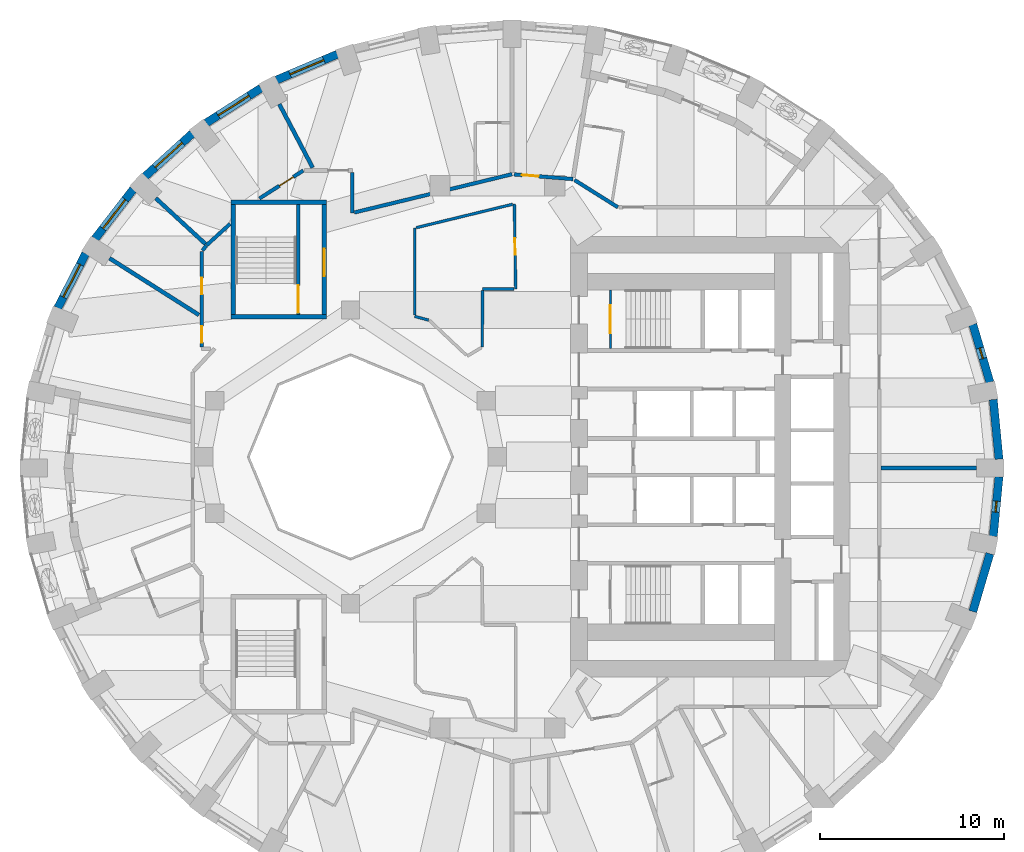
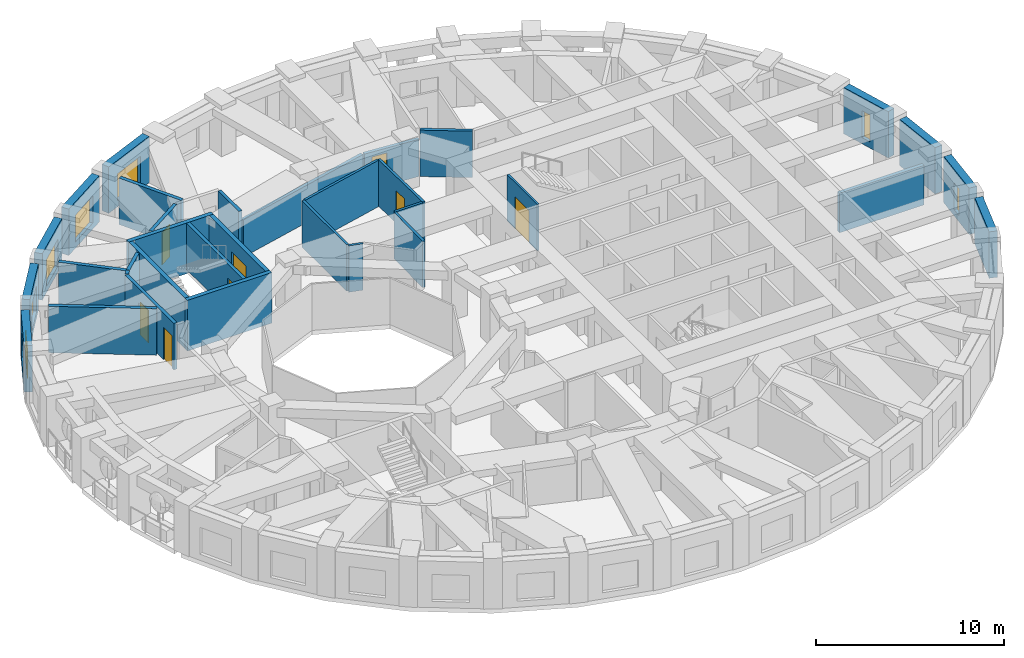
# One storey, part 7 of 12: 33 walls, 8 doors, 7 windows, 15 openings.
"""IFC4 building model written with IfcOpenShell, lengths in metres."""

from ifc_helpers import new_model, si_unit, direction, frame, frame_2d, origin, place, context, subcontext, project, spatial, rectangle, extrude, material, layer, layer_set, type_object, element, fill, save


model = new_model("IFC4")

# Units and contexts
model_context = context("Model", 3, precision=1e-05, world=origin(), true_north=direction((0.0, 1.0)))
body_context = subcontext(model_context, "Body", "Model", "MODEL_VIEW")
ifc_project = project(units=[si_unit("LENGTHUNIT", "METRE"), si_unit("AREAUNIT", "SQUARE_METRE"), si_unit("VOLUMEUNIT", "CUBIC_METRE"), si_unit("PLANEANGLEUNIT", "RADIAN"), si_unit("MASSUNIT", "GRAM", prefix="KILO")], contexts=[model_context])

# Site, building, storey
site_placement = place(None, origin())
site = spatial("IfcSite", under=ifc_project, at=site_placement, CompositionType="ELEMENT")
building_placement = place(site_placement, origin())
building = spatial("IfcBuilding", under=site, at=building_placement, Name="Taillehof Tower", CompositionType="ELEMENT")
storey_placement = place(building_placement, frame((0.0, 0.0, 98.800048828125)))
storey = spatial("IfcBuildingStorey", under=building, at=storey_placement, Name="L27", CompositionType="ELEMENT", Elevation=98.800048828125)

# Wall
ifc_material_1 = material(Name="Brick masonry", Category="masonry")
ifc_layer_1 = layer(ifc_material_1, 0.449951171875)
ifc_layer_set_1 = layer_set([ifc_layer_1], Name="Brick infill wall 450")
wall_type_1 = type_object("IfcWallType", Name="Brick infill wall 450", PredefinedType="SOLIDWALL", material=ifc_layer_set_1)
wall_1_placement = place(storey_placement, frame((27.32763671875, -0.119873046875, 0.0), z_axis=(0.0, 0.0, 1.0), x_axis=(-0.09589355735, 0.995391594127, 0.0)))
element("IfcWall", 1, at=wall_1_placement, inside=storey, type_object=wall_type_1, Name="Brick wall L27 bay 1", PredefinedType="SOLIDWALL", context=body_context, shape_type="SweptSolid", body=[
    extrude(rectangle(XDim=3.261474609375, YDim=0.449951171875, at=frame_2d((1.630859375, 0.0))), origin(), (0.0, 0.0, 1.0), 3.02001953125),
])

# Wall, opening, window
wall_2_placement = place(storey_placement, frame((26.83203125, 4.069091796875, 0.0), z_axis=(0.0, 0.0, 1.0), x_axis=(-0.283002902729, 0.959119052593, 0.0)))
wall_2 = element("IfcWall", 2, at=wall_2_placement, inside=storey, type_object=wall_type_1, Name="Brick wall L27 bay 2", PredefinedType="SOLIDWALL", context=body_context, shape_type="SweptSolid", body=[
    extrude(rectangle(XDim=3.285888671875, YDim=0.449951171875, at=frame_2d((1.64306640625, 0.0))), origin(), (0.0, 0.0, 1.0), 3.02001953125),
])
opening_1_placement = place(wall_2_placement, frame((1.343017578125, 0.0, 0.39990234375)))
opening_1 = element("IfcOpeningElement", 3, at=opening_1_placement, cuts=wall_2, Name="Opening W6", PredefinedType="OPENING", context=body_context, shape_type="SweptSolid", body=[
    extrude(rectangle(XDim=0.60009765625, YDim=1.75, at=frame_2d((0.300048828125, 0.875))), frame((0.0, 0.23486328125, 0.0), z_axis=(0.0, -1.0, 0.0), x_axis=(1.0, 0.0, 0.0)), (0.0, 0.0, 1.0), 0.469970703125),
])
ifc_material_2 = material(Name="Aluminium window frame with clear double glazing", Category="aluminium")
window_type_1 = type_object("IfcWindowType", Name="Slot window 600x1750", PartitioningType="SINGLE_PANEL", PredefinedType="WINDOW", material=ifc_material_2)
window_1_placement = place(opening_1_placement, origin())
window_1 = element("IfcWindow", 4, at=window_1_placement, inside=storey, type_object=window_type_1, Name="W6", OverallHeight=1.75, OverallWidth=0.60009765625, PartitioningType="SINGLE_PANEL", PredefinedType="WINDOW", context=body_context, shape_type="SweptSolid", body=[
    extrude(rectangle(XDim=0.60009765625, YDim=1.75, at=frame_2d((0.300048828125, 0.875))), frame((0.0, 0.034912109375, 0.0), z_axis=(0.0, -1.0, 0.0), x_axis=(1.0, 0.0, 0.0)), (0.0, 0.0, 1.0), 0.06005859375),
])
fill(opening_1, window_1)

wall_3_placement = place(storey_placement, frame((-8.718017578125, 21.93359375, 0.0), z_axis=(0.0, 0.0, 1.0), x_axis=(-0.920879975612, -0.389846213932, 0.0)))
wall_3 = element("IfcWall", 5, at=wall_3_placement, inside=storey, type_object=wall_type_1, Name="Brick wall L27 bay 12", PredefinedType="SOLIDWALL", context=body_context, shape_type="SweptSolid", body=[
    extrude(rectangle(XDim=3.591552734375, YDim=0.449951171875, at=frame_2d((1.7958984375, 0.0))), origin(), (0.0, 0.0, 1.0), 3.02001953125),
])
opening_2_placement = place(wall_3_placement, frame((0.795654296875, 0.0, 0.39990234375)))
opening_2 = element("IfcOpeningElement", 6, at=opening_2_placement, cuts=wall_3, Name="Opening W2", PredefinedType="OPENING", context=body_context, shape_type="SweptSolid", body=[
    extrude(rectangle(XDim=2.0, YDim=1.75, at=frame_2d((1.0, 0.875))), frame((0.0, 0.23486328125, 0.0), z_axis=(0.0, -1.0, 0.0), x_axis=(1.0, 0.0, 0.0)), (0.0, 0.0, 1.0), 0.469970703125),
])
ifc_material_3 = material(Name="Aluminium window frame with clear double glazing", Category="aluminium")
window_type_2 = type_object("IfcWindowType", Name="Deep-set window 2000x1750", PartitioningType="SINGLE_PANEL", PredefinedType="WINDOW", material=ifc_material_3)
window_2_placement = place(opening_2_placement, origin())
window_2 = element("IfcWindow", 7, at=window_2_placement, inside=storey, type_object=window_type_2, Name="W2", OverallHeight=1.75, OverallWidth=2.0, PartitioningType="SINGLE_PANEL", PredefinedType="WINDOW", context=body_context, shape_type="SweptSolid", body=[
    extrude(rectangle(XDim=2.0, YDim=1.75, at=frame_2d((1.0, 0.875))), frame((0.0, 0.034912109375, 0.0), z_axis=(0.0, -1.0, 0.0), x_axis=(1.0, 0.0, 0.0)), (0.0, 0.0, 1.0), 0.06005859375),
])
fill(opening_2, window_2)

wall_4_placement = place(storey_placement, frame((-12.87548828125, 20.087158203125, 0.0), z_axis=(0.0, 0.0, 1.0), x_axis=(-0.843860651879, -0.536562391722, 0.0)))
wall_4 = element("IfcWall", 8, at=wall_4_placement, inside=storey, type_object=wall_type_1, Name="Brick wall L27 bay 13", PredefinedType="SOLIDWALL", context=body_context, shape_type="SweptSolid", body=[
    extrude(rectangle(XDim=3.5322265625, YDim=0.449951171875, at=frame_2d((1.76611328125, 0.0))), origin(), (0.0, 0.0, 1.0), 3.02001953125),
])
opening_3_placement = place(wall_4_placement, frame((0.76611328125, 0.0, 0.39990234375)))
opening_3 = element("IfcOpeningElement", 9, at=opening_3_placement, cuts=wall_4, Name="Opening W2", PredefinedType="OPENING", context=body_context, shape_type="SweptSolid", body=[
    extrude(rectangle(XDim=2.0, YDim=1.75, at=frame_2d((1.0, 0.875))), frame((0.0, 0.23486328125, 0.0), z_axis=(0.0, -1.0, 0.0), x_axis=(1.0, 0.0, 0.0)), (0.0, 0.0, 1.0), 0.469970703125),
])
window_3_placement = place(opening_3_placement, origin())
window_3 = element("IfcWindow", 10, at=window_3_placement, inside=storey, type_object=window_type_2, Name="W2", OverallHeight=1.75, OverallWidth=2.0, PartitioningType="SINGLE_PANEL", PredefinedType="WINDOW", context=body_context, shape_type="SweptSolid", body=[
    extrude(rectangle(XDim=2.0, YDim=1.75, at=frame_2d((1.0, 0.875))), frame((0.0, 0.034912109375, 0.0), z_axis=(0.0, -1.0, 0.0), x_axis=(1.0, 0.0, 0.0)), (0.0, 0.0, 1.0), 0.06005859375),
])
fill(opening_3, window_3)

wall_5_placement = place(storey_placement, frame((-16.61962890625, 17.609619140625, 0.0), z_axis=(0.0, 0.0, 1.0), x_axis=(-0.74032902847, -0.672244694739, 0.0)))
wall_5 = element("IfcWall", 11, at=wall_5_placement, inside=storey, type_object=wall_type_1, Name="Brick wall L27 bay 14", PredefinedType="SOLIDWALL", context=body_context, shape_type="SweptSolid", body=[
    extrude(rectangle(XDim=3.4638671875, YDim=0.449951171875, at=frame_2d((1.73193359375, 0.0))), origin(), (0.0, 0.0, 1.0), 3.02001953125),
])
opening_4_placement = place(wall_5_placement, frame((0.73193359375, 0.0, 0.39990234375)))
opening_4 = element("IfcOpeningElement", 12, at=opening_4_placement, cuts=wall_5, Name="Opening W2", PredefinedType="OPENING", context=body_context, shape_type="SweptSolid", body=[
    extrude(rectangle(XDim=2.0, YDim=1.75, at=frame_2d((1.0, 0.875))), frame((0.0, 0.23486328125, 0.0), z_axis=(0.0, -1.0, 0.0), x_axis=(1.0, 0.0, 0.0)), (0.0, 0.0, 1.0), 0.469970703125),
])
window_4_placement = place(opening_4_placement, origin())
window_4 = element("IfcWindow", 13, at=window_4_placement, inside=storey, type_object=window_type_2, Name="W2", OverallHeight=1.75, OverallWidth=2.0, PartitioningType="SINGLE_PANEL", PredefinedType="WINDOW", context=body_context, shape_type="SweptSolid", body=[
    extrude(rectangle(XDim=2.0, YDim=1.75, at=frame_2d((1.0, 0.875))), frame((0.0, 0.034912109375, 0.0), z_axis=(0.0, -1.0, 0.0), x_axis=(1.0, 0.0, 0.0)), (0.0, 0.0, 1.0), 0.06005859375),
])
fill(opening_4, window_4)

wall_6_placement = place(storey_placement, frame((-19.835205078125, 14.575439453125, 0.0), z_axis=(0.0, 0.0, 1.0), x_axis=(-0.610693945156, -0.791866721961, 0.0)))
wall_6 = element("IfcWall", 14, at=wall_6_placement, inside=storey, type_object=wall_type_1, Name="Brick wall L27 bay 15", PredefinedType="SOLIDWALL", context=body_context, shape_type="SweptSolid", body=[
    extrude(rectangle(XDim=3.39453125, YDim=0.449951171875, at=frame_2d((1.697265625, 0.0))), origin(), (0.0, 0.0, 1.0), 3.02001953125),
])
opening_5_placement = place(wall_6_placement, frame((0.697265625, 0.0, 0.39990234375)))
opening_5 = element("IfcOpeningElement", 15, at=opening_5_placement, cuts=wall_6, Name="Opening W2", PredefinedType="OPENING", context=body_context, shape_type="SweptSolid", body=[
    extrude(rectangle(XDim=2.0, YDim=1.75, at=frame_2d((1.0, 0.875))), frame((0.0, 0.23486328125, 0.0), z_axis=(0.0, -1.0, 0.0), x_axis=(1.0, 0.0, 0.0)), (0.0, 0.0, 1.0), 0.469970703125),
])
window_5_placement = place(opening_5_placement, origin())
window_5 = element("IfcWindow", 16, at=window_5_placement, inside=storey, type_object=window_type_2, Name="W2", OverallHeight=1.75, OverallWidth=2.0, PartitioningType="SINGLE_PANEL", PredefinedType="WINDOW", context=body_context, shape_type="SweptSolid", body=[
    extrude(rectangle(XDim=2.0, YDim=1.75, at=frame_2d((1.0, 0.875))), frame((0.0, 0.034912109375, 0.0), z_axis=(0.0, -1.0, 0.0), x_axis=(1.0, 0.0, 0.0)), (0.0, 0.0, 1.0), 0.06005859375),
])
fill(opening_5, window_5)

wall_7_placement = place(storey_placement, frame((-22.4228515625, 11.076904296875, 0.0), z_axis=(0.0, 0.0, 1.0), x_axis=(-0.456828186229, -0.889554949549, 0.0)))
wall_7 = element("IfcWall", 17, at=wall_7_placement, inside=storey, type_object=wall_type_1, Name="Brick wall L27 bay 16", PredefinedType="SOLIDWALL", context=body_context, shape_type="SweptSolid", body=[
    extrude(rectangle(XDim=3.332763671875, YDim=0.449951171875, at=frame_2d((1.66650390625, 0.0))), origin(), (0.0, 0.0, 1.0), 3.02001953125),
])
opening_6_placement = place(wall_7_placement, frame((0.666259765625, 0.0, 0.39990234375)))
opening_6 = element("IfcOpeningElement", 18, at=opening_6_placement, cuts=wall_7, Name="Opening W2", PredefinedType="OPENING", context=body_context, shape_type="SweptSolid", body=[
    extrude(rectangle(XDim=2.0, YDim=1.75, at=frame_2d((1.0, 0.875))), frame((0.0, 0.23486328125, 0.0), z_axis=(0.0, -1.0, 0.0), x_axis=(1.0, 0.0, 0.0)), (0.0, 0.0, 1.0), 0.469970703125),
])
window_6_placement = place(opening_6_placement, origin())
window_6 = element("IfcWindow", 19, at=window_6_placement, inside=storey, type_object=window_type_2, Name="W2", OverallHeight=1.75, OverallWidth=2.0, PartitioningType="SINGLE_PANEL", PredefinedType="WINDOW", context=body_context, shape_type="SweptSolid", body=[
    extrude(rectangle(XDim=2.0, YDim=1.75, at=frame_2d((1.0, 0.875))), frame((0.0, 0.034912109375, 0.0), z_axis=(0.0, -1.0, 0.0), x_axis=(1.0, 0.0, 0.0)), (0.0, 0.0, 1.0), 0.06005859375),
])
fill(opening_6, window_6)

# Wall
wall_8_placement = place(storey_placement, frame((25.902099609375, -8.4208984375, 0.0), z_axis=(0.0, 0.0, 1.0), x_axis=(0.282982737009, 0.95912500257, 0.0)))
element("IfcWall", 20, at=wall_8_placement, inside=storey, type_object=wall_type_1, Name="Brick wall L27 bay 35", PredefinedType="SOLIDWALL", context=body_context, shape_type="SweptSolid", body=[
    extrude(rectangle(XDim=3.2861328125, YDim=0.449951171875, at=frame_2d((1.64306640625, 0.0))), origin(), (0.0, 0.0, 1.0), 3.02001953125),
])

# Wall, opening, window
wall_9_placement = place(storey_placement, frame((27.014892578125, -4.326416015625, 0.0), z_axis=(0.0, 0.0, 1.0), x_axis=(0.09589355735, 0.995391594127, 0.0)))
wall_9 = element("IfcWall", 21, at=wall_9_placement, inside=storey, type_object=wall_type_1, Name="Brick wall L27 bay 36", PredefinedType="SOLIDWALL", context=body_context, shape_type="SweptSolid", body=[
    extrude(rectangle(XDim=3.261474609375, YDim=0.449951171875, at=frame_2d((1.630859375, 0.0))), origin(), (0.0, 0.0, 1.0), 3.02001953125),
])
opening_7_placement = place(wall_9_placement, frame((1.33056640625, 0.0, 0.39990234375)))
opening_7 = element("IfcOpeningElement", 22, at=opening_7_placement, cuts=wall_9, Name="Opening W6", PredefinedType="OPENING", context=body_context, shape_type="SweptSolid", body=[
    extrude(rectangle(XDim=0.60009765625, YDim=1.75, at=frame_2d((0.300048828125, 0.875))), frame((0.0, 0.23486328125, 0.0), z_axis=(0.0, -1.0, 0.0), x_axis=(1.0, 0.0, 0.0)), (0.0, 0.0, 1.0), 0.469970703125),
])
window_7_placement = place(opening_7_placement, origin())
window_7 = element("IfcWindow", 23, at=window_7_placement, inside=storey, type_object=window_type_1, Name="W6", OverallHeight=1.75, OverallWidth=0.60009765625, PartitioningType="SINGLE_PANEL", PredefinedType="WINDOW", context=body_context, shape_type="SweptSolid", body=[
    extrude(rectangle(XDim=0.60009765625, YDim=1.75, at=frame_2d((0.300048828125, 0.875))), frame((0.0, 0.034912109375, 0.0), z_axis=(0.0, -1.0, 0.0), x_axis=(1.0, 0.0, 0.0)), (0.0, 0.0, 1.0), 0.06005859375),
])
fill(opening_7, window_7)

# Wall, openings, doors
ifc_material_4 = material(Name="Gypsum board on steel studs, two layers each side", Category="steel")
ifc_layer_2 = layer(ifc_material_4, 0.199951171875)
ifc_layer_set_2 = layer_set([ifc_layer_2], Name="Compartment wall corridor 200")
wall_type_2 = type_object("IfcWallType", Name="Compartment wall corridor 200", PredefinedType="PARTITIONING", material=ifc_layer_set_2)
wall_10_placement = place(storey_placement, frame((-16.10009765625, 6.0, 0.0), z_axis=(0.0, 0.0, 1.0), x_axis=(0.0, 1.0, 0.0)))
wall_10 = element("IfcWall", 24, at=wall_10_placement, inside=storey, type_object=wall_type_2, Name="Compartment wall", PredefinedType="PARTITIONING", context=body_context, shape_type="SweptSolid", body=[
    extrude(rectangle(XDim=5.192138671875, YDim=0.199951171875, at=frame_2d((2.59619140625, 0.0))), origin(), (0.0, 0.0, 1.0), 3.02001953125),
])
opening_8_placement = place(wall_10_placement, frame((2.856689453125, 0.0, 0.0)))
opening_8 = element("IfcOpeningElement", 25, at=opening_8_placement, cuts=wall_10, Name="Opening D2746", PredefinedType="OPENING", context=body_context, shape_type="SweptSolid", body=[
    extrude(rectangle(XDim=0.89990234375, YDim=2.10009765625, at=frame_2d((0.449951171875, 1.050048828125))), frame((0.0, 0.10986328125, 0.0), z_axis=(0.0, -1.0, 0.0), x_axis=(1.0, 0.0, 0.0)), (0.0, 0.0, 1.0), 0.219970703125),
])
opening_9_placement = place(wall_10_placement, frame((0.219970703125, 0.0, 0.0)))
opening_9 = element("IfcOpeningElement", 26, at=opening_9_placement, cuts=wall_10, Name="Opening D2747", PredefinedType="OPENING", context=body_context, shape_type="SweptSolid", body=[
    extrude(rectangle(XDim=0.89990234375, YDim=2.10009765625, at=frame_2d((0.449951171875, 1.050048828125))), frame((0.0, 0.10986328125, 0.0), z_axis=(0.0, -1.0, 0.0), x_axis=(1.0, 0.0, 0.0)), (0.0, 0.0, 1.0), 0.219970703125),
])
ifc_material_5 = material(Name="Timber door leaf in steel frame", Category="steel")
door_type_1 = type_object("IfcDoorType", Name="Service room door EI 30 900 x 2100", OperationType="SINGLE_SWING_LEFT", PredefinedType="DOOR", material=ifc_material_5)
door_1_placement = place(opening_8_placement, origin())
door_1 = element("IfcDoor", 27, at=door_1_placement, inside=storey, type_object=door_type_1, Name="D2746", OperationType="SINGLE_SWING_LEFT", OverallHeight=2.10009765625, OverallWidth=0.89990234375, PredefinedType="DOOR", context=body_context, shape_type="SweptSolid", body=[
    extrude(rectangle(XDim=0.89990234375, YDim=2.10009765625, at=frame_2d((0.449951171875, 1.050048828125))), frame((0.0, 0.02490234375, 0.0), z_axis=(0.0, -1.0, 0.0), x_axis=(1.0, 0.0, 0.0)), (0.0, 0.0, 1.0), 0.050048828125),
])
fill(opening_8, door_1)
door_2_placement = place(opening_9_placement, origin())
door_2 = element("IfcDoor", 28, at=door_2_placement, inside=storey, type_object=door_type_1, Name="D2747", OperationType="SINGLE_SWING_RIGHT", OverallHeight=2.10009765625, OverallWidth=0.89990234375, PredefinedType="DOOR", context=body_context, shape_type="SweptSolid", body=[
    extrude(rectangle(XDim=0.89990234375, YDim=2.10009765625, at=frame_2d((0.449951171875, 1.050048828125))), frame((0.0, 0.02490234375, 0.0), z_axis=(0.0, -1.0, 0.0), x_axis=(1.0, 0.0, 0.0)), (0.0, 0.0, 1.0), 0.050048828125),
])
fill(opening_9, door_2)

# Walls
wall_11_placement = place(storey_placement, frame((-16.0634765625, 11.23974609375, 0.0), z_axis=(0.0, 0.0, 1.0), x_axis=(0.609744747854, 0.792597844096, 0.0)))
element("IfcWall", 29, at=wall_11_placement, inside=storey, type_object=wall_type_2, Name="Compartment wall", PredefinedType="PARTITIONING", context=body_context, shape_type="SweptSolid", body=[
    extrude(rectangle(XDim=0.34716796875, YDim=0.199951171875, at=frame_2d((0.173583984375, 0.0))), origin(), (0.0, 0.0, 1.0), 3.02001953125),
])
wall_12_placement = place(storey_placement, frame((-15.8369140625, 11.5283203125, 0.0), z_axis=(0.0, 0.0, 1.0), x_axis=(0.739402681643, 0.673263450946, 0.0)))
element("IfcWall", 30, at=wall_12_placement, inside=storey, type_object=wall_type_2, Name="Compartment wall", PredefinedType="PARTITIONING", context=body_context, shape_type="SweptSolid", body=[
    extrude(rectangle(XDim=1.7275390625, YDim=0.199951171875, at=frame_2d((0.86376953125, 0.0))), origin(), (0.0, 0.0, 1.0), 3.02001953125),
])

# Wall, opening, door
wall_13_placement = place(storey_placement, frame((-12.957275390625, 14.0771484375, 0.0), z_axis=(0.0, 0.0, 1.0), x_axis=(0.84319985174, 0.537600232538, 0.0)))
wall_13 = element("IfcWall", 31, at=wall_13_placement, inside=storey, type_object=wall_type_2, Name="Compartment wall", PredefinedType="PARTITIONING", context=body_context, shape_type="SweptSolid", body=[
    extrude(rectangle(XDim=2.832763671875, YDim=0.199951171875, at=frame_2d((1.41650390625, 0.0))), origin(), (0.0, 0.0, 1.0), 3.02001953125),
])
opening_10_placement = place(wall_13_placement, frame((1.286376953125, 0.0, 0.0)))
opening_10 = element("IfcOpeningElement", 32, at=opening_10_placement, cuts=wall_13, Name="Opening D2745", PredefinedType="OPENING", context=body_context, shape_type="SweptSolid", body=[
    extrude(rectangle(XDim=0.89990234375, YDim=2.10009765625, at=frame_2d((0.449951171875, 1.050048828125))), frame((0.0, 0.10986328125, 0.0), z_axis=(0.0, -1.0, 0.0), x_axis=(1.0, 0.0, 0.0)), (0.0, 0.0, 1.0), 0.219970703125),
])
door_3_placement = place(opening_10_placement, origin())
door_3 = element("IfcDoor", 33, at=door_3_placement, inside=storey, type_object=door_type_1, Name="D2745", OperationType="SINGLE_SWING_RIGHT", OverallHeight=2.10009765625, OverallWidth=0.89990234375, PredefinedType="DOOR", context=body_context, shape_type="SweptSolid", body=[
    extrude(rectangle(XDim=0.89990234375, YDim=2.10009765625, at=frame_2d((0.449951171875, 1.050048828125))), frame((0.0, 0.02490234375, 0.0), z_axis=(0.0, -1.0, 0.0), x_axis=(1.0, 0.0, 0.0)), (0.0, 0.0, 1.0), 0.050048828125),
])
fill(opening_10, door_3)

# Walls
wall_14_placement = place(storey_placement, frame((-7.89990234375, 15.5, 0.0), z_axis=(0.0, 0.0, 1.0), x_axis=(0.0, -1.0, 0.0)))
element("IfcWall", 34, at=wall_14_placement, inside=storey, type_object=wall_type_2, Name="Compartment wall", PredefinedType="PARTITIONING", context=body_context, shape_type="SweptSolid", body=[
    extrude(rectangle(XDim=2.212158203125, YDim=0.199951171875, at=frame_2d((1.10595703125, 0.0))), origin(), (0.0, 0.0, 1.0), 3.02001953125),
])
wall_15_placement = place(storey_placement, frame((-7.78271484375, 13.315673828125, 0.0), z_axis=(0.0, 0.0, 1.0), x_axis=(0.971757778997, 0.23598054784, 0.0)))
element("IfcWall", 35, at=wall_15_placement, inside=storey, type_object=wall_type_2, Name="Compartment wall", PredefinedType="PARTITIONING", context=body_context, shape_type="SweptSolid", body=[
    extrude(rectangle(XDim=8.832275390625, YDim=0.199951171875, at=frame_2d((4.416015625, 0.0))), origin(), (0.0, 0.0, 1.0), 2.419921875),
])

# Wall, opening, door
wall_16_placement = place(storey_placement, frame((0.920166015625, 15.39013671875, 0.0), z_axis=(0.0, 0.0, 1.0), x_axis=(0.996853106713, -0.07927095077, 0.0)))
wall_16 = element("IfcWall", 36, at=wall_16_placement, inside=storey, type_object=wall_type_2, Name="Compartment wall", PredefinedType="PARTITIONING", context=body_context, shape_type="SweptSolid", body=[
    extrude(rectangle(XDim=3.212158203125, YDim=0.199951171875, at=frame_2d((1.60595703125, 0.0))), origin(), (0.0, 0.0, 1.0), 2.419921875),
])
opening_11_placement = place(wall_16_placement, frame((0.426513671875, 0.0, 0.0)))
opening_11 = element("IfcOpeningElement", 37, at=opening_11_placement, cuts=wall_16, Name="Opening D2742", PredefinedType="OPENING", context=body_context, shape_type="SweptSolid", body=[
    extrude(rectangle(XDim=0.89990234375, YDim=2.10009765625, at=frame_2d((0.449951171875, 1.050048828125))), frame((0.0, 0.10986328125, 0.0), z_axis=(0.0, -1.0, 0.0), x_axis=(1.0, 0.0, 0.0)), (0.0, 0.0, 1.0), 0.219970703125),
])
door_4_placement = place(opening_11_placement, origin())
door_4 = element("IfcDoor", 38, at=door_4_placement, inside=storey, type_object=door_type_1, Name="D2742", OperationType="SINGLE_SWING_LEFT", OverallHeight=2.10009765625, OverallWidth=0.89990234375, PredefinedType="DOOR", context=body_context, shape_type="SweptSolid", body=[
    extrude(rectangle(XDim=0.89990234375, YDim=2.10009765625, at=frame_2d((0.449951171875, 1.050048828125))), frame((0.0, 0.02490234375, 0.0), z_axis=(0.0, -1.0, 0.0), x_axis=(1.0, 0.0, 0.0)), (0.0, 0.0, 1.0), 0.050048828125),
])
fill(opening_11, door_4)

# Walls
wall_17_placement = place(storey_placement, frame((4.20654296875, 15.081787109375, 0.0), z_axis=(0.0, 0.0, 1.0), x_axis=(0.847002804919, -0.531588420171, 0.0)))
element("IfcWall", 39, at=wall_17_placement, inside=storey, type_object=wall_type_2, Name="Compartment wall", PredefinedType="PARTITIONING", context=body_context, shape_type="SweptSolid", body=[
    extrude(rectangle(XDim=2.787353515625, YDim=0.199951171875, at=frame_2d((1.3935546875, 0.0))), origin(), (0.0, 0.0, 1.0), 3.02001953125),
])
ifc_material_6 = material(Name="Gypsum board on double steel studs with mineral wool", Category="steel")
ifc_layer_3 = layer(ifc_material_6, 0.219970703125)
ifc_layer_set_3 = layer_set([ifc_layer_3], Name="Compartment wall guest room 220")
wall_type_3 = type_object("IfcWallType", Name="Compartment wall guest room 220", PredefinedType="PARTITIONING", material=ifc_layer_set_3)
wall_18_placement = place(storey_placement, frame((26.10009765625, -0.60009765625, 0.0), z_axis=(0.0, 0.0, 1.0), x_axis=(-1.0, 0.0, 0.0)))
element("IfcWall", 40, at=wall_18_placement, inside=storey, type_object=wall_type_3, Name="Compartment wall", PredefinedType="PARTITIONING", context=body_context, shape_type="SweptSolid", body=[
    extrude(rectangle(XDim=5.199951171875, YDim=0.219970703125, at=frame_2d((2.60009765625, 0.0))), origin(), (0.0, 0.0, 1.0), 2.570068359375),
])
wall_19_placement = place(storey_placement, frame((-11.8759765625, 19.217529296875, 0.0), z_axis=(0.0, 0.0, 1.0), x_axis=(0.465386433174, -0.885107602395, 0.0)))
element("IfcWall", 41, at=wall_19_placement, inside=storey, type_object=wall_type_3, Name="Compartment wall", PredefinedType="PARTITIONING", context=body_context, shape_type="SweptSolid", body=[
    extrude(rectangle(XDim=3.91357421875, YDim=0.219970703125, at=frame_2d((1.956787109375, 0.0))), origin(), (0.0, 0.0, 1.0), 3.02001953125),
])
wall_20_placement = place(storey_placement, frame((-18.60400390625, 14.09375, 0.0), z_axis=(0.0, 0.0, 1.0), x_axis=(0.73529495628, -0.677747244383, 0.0)))
element("IfcWall", 42, at=wall_20_placement, inside=storey, type_object=wall_type_3, Name="Compartment wall", PredefinedType="PARTITIONING", context=body_context, shape_type="SweptSolid", body=[
    extrude(rectangle(XDim=3.673828125, YDim=0.219970703125, at=frame_2d((1.8369140625, 0.0))), origin(), (0.0, 0.0, 1.0), 3.02001953125),
])
wall_21_placement = place(storey_placement, frame((-21.12646484375, 10.8232421875, 0.0), z_axis=(0.0, 0.0, 1.0), x_axis=(0.844518840625, -0.535525842355, 0.0)))
element("IfcWall", 43, at=wall_21_placement, inside=storey, type_object=wall_type_3, Name="Compartment wall", PredefinedType="PARTITIONING", context=body_context, shape_type="SweptSolid", body=[
    extrude(rectangle(XDim=5.7734375, YDim=0.219970703125, at=frame_2d((2.88671875, 0.0))), origin(), (0.0, 0.0, 1.0), 3.02001953125),
])

# Wall, opening, door
ifc_material_7 = material(Name="Gypsum board on steel studs, two layers each side", Category="steel")
ifc_layer_4 = layer(ifc_material_7, 0.14990234375)
ifc_layer_set_4 = layer_set([ifc_layer_4], Name="Compartment wall service room 150")
wall_type_4 = type_object("IfcWallType", Name="Compartment wall service room 150", PredefinedType="PARTITIONING", material=ifc_layer_set_4)
wall_22_placement = place(storey_placement, frame((0.928466796875, 13.78466796875, 0.0), z_axis=(0.0, 0.0, 1.0), x_axis=(0.015432211783, -0.999880916329, 0.0)))
wall_22 = element("IfcWall", 44, at=wall_22_placement, inside=storey, type_object=wall_type_4, Name="Compartment wall", PredefinedType="PARTITIONING", context=body_context, shape_type="SweptSolid", body=[
    extrude(rectangle(XDim=4.63525390625, YDim=0.14990234375, at=frame_2d((2.317626953125, 0.0))), origin(), (0.0, 0.0, 1.0), 3.02001953125),
])
opening_12_placement = place(wall_22_placement, frame((1.86767578125, 0.0, 0.0)))
opening_12 = element("IfcOpeningElement", 45, at=opening_12_placement, cuts=wall_22, Name="Opening D2765", PredefinedType="OPENING", context=body_context, shape_type="SweptSolid", body=[
    extrude(rectangle(XDim=0.89990234375, YDim=2.10009765625, at=frame_2d((0.449951171875, 1.050048828125))), frame((0.0, 0.0849609375, 0.0), z_axis=(0.0, -1.0, 0.0), x_axis=(1.0, 0.0, 0.0)), (0.0, 0.0, 1.0), 0.169921875),
])
door_5_placement = place(opening_12_placement, origin())
door_5 = element("IfcDoor", 46, at=door_5_placement, inside=storey, type_object=door_type_1, Name="D2765", OperationType="SINGLE_SWING_LEFT", OverallHeight=2.10009765625, OverallWidth=0.89990234375, PredefinedType="DOOR", context=body_context, shape_type="SweptSolid", body=[
    extrude(rectangle(XDim=0.89990234375, YDim=2.10009765625, at=frame_2d((0.449951171875, 1.050048828125))), frame((0.0, 0.02490234375, 0.0), z_axis=(0.0, -1.0, 0.0), x_axis=(1.0, 0.0, 0.0)), (0.0, 0.0, 1.0), 0.050048828125),
])
fill(opening_12, door_5)

# Walls
wall_23_placement = place(storey_placement, frame((0.919921875, 9.14990234375, 0.0), z_axis=(0.0, 0.0, 1.0), x_axis=(-1.0, 0.0, 0.0)))
element("IfcWall", 47, at=wall_23_placement, inside=storey, type_object=wall_type_4, Name="Compartment wall", PredefinedType="PARTITIONING", context=body_context, shape_type="SweptSolid", body=[
    extrude(rectangle(XDim=1.719970703125, YDim=0.14990234375, at=frame_2d((0.85986328125, 0.0))), origin(), (0.0, 0.0, 1.0), 3.02001953125),
])
wall_24_placement = place(storey_placement, frame((-0.801025390625, 9.06982421875, 0.0), z_axis=(0.0, 0.0, 1.0), x_axis=(-0.006879482938, -0.999976336077, 0.0)))
element("IfcWall", 48, at=wall_24_placement, inside=storey, type_object=wall_type_4, Name="Compartment wall", PredefinedType="PARTITIONING", context=body_context, shape_type="SweptSolid", body=[
    extrude(rectangle(XDim=3.08740234375, YDim=0.14990234375, at=frame_2d((1.543701171875, 0.0))), origin(), (0.0, 0.0, 1.0), 3.02001953125),
])
wall_25_placement = place(storey_placement, frame((-3.7421875, 7.451904296875, 0.0), z_axis=(0.0, 0.0, 1.0), x_axis=(-0.965903596155, 0.258901994846, 0.0)))
element("IfcWall", 49, at=wall_25_placement, inside=storey, type_object=wall_type_4, Name="Compartment wall", PredefinedType="PARTITIONING", context=body_context, shape_type="SweptSolid", body=[
    extrude(rectangle(XDim=0.78466796875, YDim=0.14990234375, at=frame_2d((0.392333984375, 0.0))), origin(), (0.0, 0.0, 1.0), 3.02001953125),
])
wall_26_placement = place(storey_placement, frame((-4.5, 7.735107421875, 0.0), z_axis=(0.0, 0.0, 1.0), x_axis=(0.0, 1.0, 0.0)))
element("IfcWall", 50, at=wall_26_placement, inside=storey, type_object=wall_type_4, Name="Compartment wall", PredefinedType="PARTITIONING", context=body_context, shape_type="SweptSolid", body=[
    extrude(rectangle(XDim=4.731689453125, YDim=0.14990234375, at=frame_2d((2.36572265625, 0.0))), origin(), (0.0, 0.0, 1.0), 3.02001953125),
])
wall_27_placement = place(storey_placement, frame((-4.421875, 12.4853515625, 0.0), z_axis=(0.0, 0.0, 1.0), x_axis=(0.971733724628, 0.236079580694, 0.0)))
element("IfcWall", 51, at=wall_27_placement, inside=storey, type_object=wall_type_4, Name="Compartment wall", PredefinedType="PARTITIONING", context=body_context, shape_type="SweptSolid", body=[
    extrude(rectangle(XDim=5.405517578125, YDim=0.14990234375, at=frame_2d((2.70263671875, 0.0))), origin(), (0.0, 0.0, 1.0), 3.02001953125),
])

# Wall, opening, door
ifc_material_8 = material(Name="Concrete C50/60", Category="concrete")
ifc_layer_5 = layer(ifc_material_8, 0.199951171875)
ifc_layer_set_5 = layer_set([ifc_layer_5], Name="Shaft wall C50/60 200")
wall_type_5 = type_object("IfcWallType", Name="Shaft wall C50/60 200", PredefinedType="SHEAR", material=ifc_layer_set_5)
wall_28_placement = place(storey_placement, frame((-10.85009765625, 7.75, 0.0), z_axis=(0.0, 0.0, 1.0), x_axis=(0.0, 1.0, 0.0)))
wall_28 = element("IfcWall", 52, at=wall_28_placement, inside=storey, type_object=wall_type_5, Name="Shaft wall SW", PredefinedType="SHEAR", context=body_context, shape_type="SweptSolid", body=[
    extrude(rectangle(XDim=6.0, YDim=0.199951171875, at=frame_2d((3.0, 0.0))), origin(), (0.0, 0.0, 1.0), 3.02001953125),
])
opening_13_placement = place(wall_28_placement, frame((0.10009765625, 0.0, 0.0)))
opening_13 = element("IfcOpeningElement", 53, at=opening_13_placement, cuts=wall_28, Name="Opening D2712", PredefinedType="OPENING", context=body_context, shape_type="SweptSolid", body=[
    extrude(rectangle(XDim=1.5, YDim=2.10009765625, at=frame_2d((0.75, 1.050048828125))), frame((0.0, 0.10986328125, 0.0), z_axis=(0.0, -1.0, 0.0), x_axis=(1.0, 0.0, 0.0)), (0.0, 0.0, 1.0), 0.219970703125),
])
ifc_material_9 = material(Name="Steel-faced fire door", Category="steel")
door_type_2 = type_object("IfcDoorType", Name="Stair door 1500x2100", OperationType="DOUBLE_DOOR_SINGLE_SWING", PredefinedType="DOOR", material=ifc_material_9)
door_6_placement = place(opening_13_placement, origin())
door_6 = element("IfcDoor", 54, at=door_6_placement, inside=storey, type_object=door_type_2, Name="Stair lobby door S3", OperationType="DOUBLE_DOOR_SINGLE_SWING", OverallHeight=2.10009765625, OverallWidth=1.5, PredefinedType="DOOR", context=body_context, shape_type="SweptSolid", body=[
    extrude(rectangle(XDim=1.5, YDim=2.10009765625, at=frame_2d((0.75, 1.050048828125))), frame((0.0, 0.02490234375, 0.0), z_axis=(0.0, -1.0, 0.0), x_axis=(1.0, 0.0, 0.0)), (0.0, 0.0, 1.0), 0.050048828125),
])
fill(opening_13, door_6)

ifc_material_10 = material(Name="Concrete C50/60", Category="concrete")
ifc_layer_6 = layer(ifc_material_10, 0.1201171875)
ifc_layer_set_6 = layer_set([ifc_layer_6], Name="Stair lobby wall C50/60 120")
wall_type_6 = type_object("IfcWallType", Name="Stair lobby wall C50/60 120", PredefinedType="SHEAR", material=ifc_layer_set_6)
wall_29_placement = place(storey_placement, frame((6.159912109375, 5.89990234375, 0.0), z_axis=(0.0, 0.0, 1.0), x_axis=(0.0, 1.0, 0.0)))
wall_29 = element("IfcWall", 55, at=wall_29_placement, inside=storey, type_object=wall_type_6, Name="Compartment wall SW", PredefinedType="SHEAR", context=body_context, shape_type="SweptSolid", body=[
    extrude(rectangle(XDim=3.2001953125, YDim=0.1201171875, at=frame_2d((1.60009765625, 0.0))), origin(), (0.0, 0.0, 1.0), 3.02001953125),
])
opening_14_placement = place(wall_29_placement, frame((0.85009765625, 0.0, 0.0)))
opening_14 = element("IfcOpeningElement", 56, at=opening_14_placement, cuts=wall_29, Name="Opening D2710", PredefinedType="OPENING", context=body_context, shape_type="SweptSolid", body=[
    extrude(rectangle(XDim=1.5, YDim=2.10009765625, at=frame_2d((0.75, 1.050048828125))), frame((0.0, 0.070068359375, 0.0), z_axis=(0.0, -1.0, 0.0), x_axis=(1.0, 0.0, 0.0)), (0.0, 0.0, 1.0), 0.14013671875),
])
door_7_placement = place(opening_14_placement, origin())
door_7 = element("IfcDoor", 57, at=door_7_placement, inside=storey, type_object=door_type_2, Name="Stair lobby door S1", OperationType="DOUBLE_DOOR_SINGLE_SWING", OverallHeight=2.10009765625, OverallWidth=1.5, PredefinedType="DOOR", context=body_context, shape_type="SweptSolid", body=[
    extrude(rectangle(XDim=1.5, YDim=2.10009765625, at=frame_2d((0.75, 1.050048828125))), frame((0.0, 0.02490234375, 0.0), z_axis=(0.0, -1.0, 0.0), x_axis=(1.0, 0.0, 0.0)), (0.0, 0.0, 1.0), 0.050048828125),
])
fill(opening_14, door_7)

# Wall
ifc_material_11 = material(Name="Concrete C50/60", Category="concrete")
ifc_layer_7 = layer(ifc_material_11, 0.25)
ifc_layer_set_7 = layer_set([ifc_layer_7], Name="Stair wall C50/60 250")
wall_type_7 = type_object("IfcWallType", Name="Stair wall C50/60 250", PredefinedType="SHEAR", material=ifc_layer_set_7)
wall_30_placement = place(storey_placement, frame((-14.375, 7.75, -0.280029296875), z_axis=(0.0, 0.0, 1.0), x_axis=(0.0, 1.0, 0.0)))
element("IfcWall", 58, at=wall_30_placement, inside=storey, type_object=wall_type_7, Name="Stair wall SC", PredefinedType="SHEAR", context=body_context, shape_type="SweptSolid", body=[
    extrude(rectangle(XDim=6.0, YDim=0.25, at=frame_2d((3.0, 0.0))), origin(), (0.0, 0.0, 1.0), 3.300048828125),
])

# Wall, opening, door
wall_31_placement = place(storey_placement, frame((-9.425048828125, 7.75, -0.280029296875), z_axis=(0.0, 0.0, 1.0), x_axis=(0.0, 1.0, 0.0)))
wall_31 = element("IfcWall", 59, at=wall_31_placement, inside=storey, type_object=wall_type_7, Name="Stair wall SC", PredefinedType="SHEAR", context=body_context, shape_type="SweptSolid", body=[
    extrude(rectangle(XDim=6.0, YDim=0.25, at=frame_2d((3.0, 0.0))), origin(), (0.0, 0.0, 1.0), 3.300048828125),
])
opening_15_placement = place(wall_31_placement, frame((2.10009765625, 0.0, 0.280029296875)))
opening_15 = element("IfcOpeningElement", 60, at=opening_15_placement, cuts=wall_31, Name="Opening D2719", PredefinedType="OPENING", context=body_context, shape_type="SweptSolid", body=[
    extrude(rectangle(XDim=1.5, YDim=2.10009765625, at=frame_2d((0.75, 1.050048828125))), frame((0.0, 0.135009765625, 0.0), z_axis=(0.0, -1.0, 0.0), x_axis=(1.0, 0.0, 0.0)), (0.0, 0.0, 1.0), 0.27001953125),
])
door_8_placement = place(opening_15_placement, origin())
door_8 = element("IfcDoor", 61, at=door_8_placement, inside=storey, type_object=door_type_2, Name="Stair door S3", OperationType="DOUBLE_DOOR_SINGLE_SWING", OverallHeight=2.10009765625, OverallWidth=1.5, PredefinedType="DOOR", context=body_context, shape_type="SweptSolid", body=[
    extrude(rectangle(XDim=1.5, YDim=2.10009765625, at=frame_2d((0.75, 1.050048828125))), frame((0.0, 0.02490234375, 0.0), z_axis=(0.0, -1.0, 0.0), x_axis=(1.0, 0.0, 0.0)), (0.0, 0.0, 1.0), 0.050048828125),
])
fill(opening_15, door_8)

# Walls
for number, where, z_axis, x_axis, name in (
    (62, (-14.5, 13.875, -0.280029296875), (0.0, 0.0, 1.0), (1.0, 0.0, 0.0), "Stair wall SC"),
    (63, (-14.5, 7.625, -0.280029296875), (0.0, 0.0, 1.0), (1.0, 0.0, 0.0), "Stair wall SC"),
):
    element("IfcWall", number, at=place(storey_placement, frame(where, z_axis=z_axis, x_axis=x_axis)), inside=storey, type_object=wall_type_7, Name=name, PredefinedType="SHEAR", context=body_context, shape_type="SweptSolid", body=[
        extrude(rectangle(XDim=5.199951171875, YDim=0.25, at=frame_2d((2.60009765625, 0.0))), origin(), (0.0, 0.0, 1.0), 3.300048828125),
    ])

save(model, "model.ifc")
